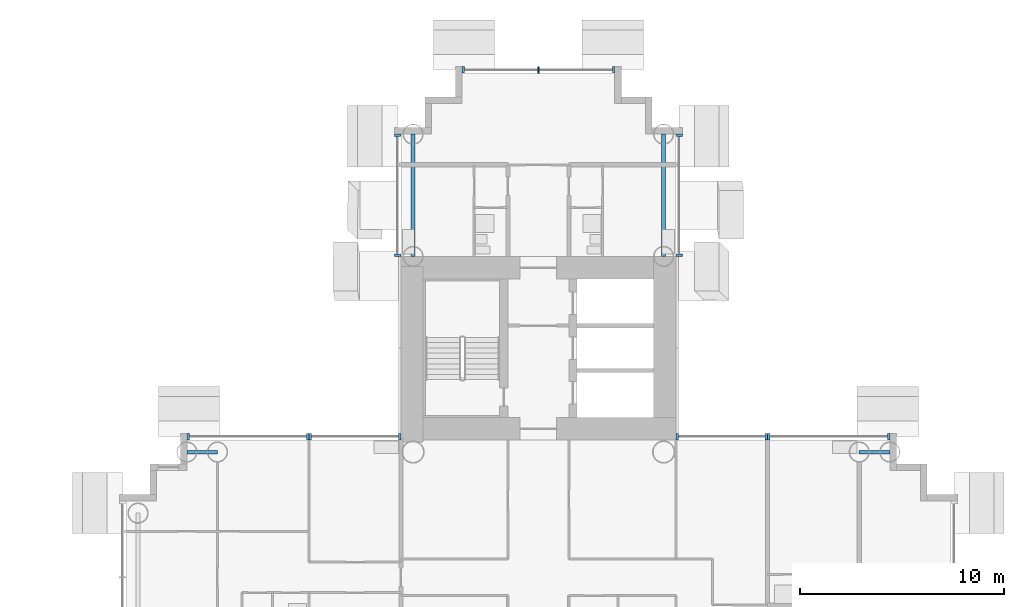
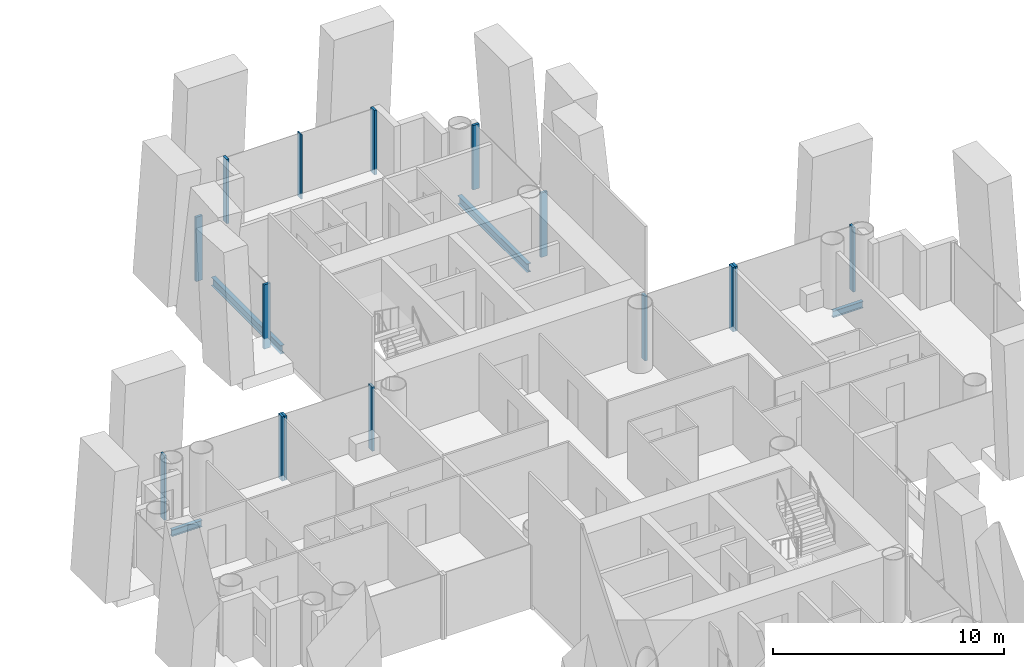
# One storey, part 7 of 25: 15 members, 4 beams, 7 elements without a shape of their own.
"""IFC4 building model written with IfcOpenShell, lengths in metres."""

from ifc_helpers import new_model, si_unit, direction, frame, origin, origin_2d, place, context, subcontext, project, spatial, rectangle, i_section, extrude, material, layer, layer_set, material_profile, profile_set, type_object, element, aggregate, save


model = new_model("IFC4")

# Units and contexts
model_context = context("Model", 3, precision=1e-05, world=origin(), true_north=direction((0.0, 1.0)))
body_context = subcontext(model_context, "Body", "Model", "MODEL_VIEW")
ifc_project = project(units=[si_unit("LENGTHUNIT", "METRE"), si_unit("AREAUNIT", "SQUARE_METRE"), si_unit("VOLUMEUNIT", "CUBIC_METRE"), si_unit("PLANEANGLEUNIT", "RADIAN"), si_unit("MASSUNIT", "GRAM", prefix="KILO")], contexts=[model_context])

# Site, building, storey
site_placement = place(None, origin())
site = spatial("IfcSite", under=ifc_project, at=site_placement, CompositionType="ELEMENT")
building_placement = place(site_placement, origin())
building = spatial("IfcBuilding", under=site, at=building_placement, Name="Ipe Terrace Towers", CompositionType="ELEMENT")
storey_placement = place(building_placement, frame((0.0, 0.0, 31.300048828125)))
storey = spatial("IfcBuildingStorey", under=building, at=storey_placement, Name="L07", CompositionType="ELEMENT", Elevation=31.300048828125)

# Beams
ifc_material_1 = material(Name="Steel S355", Category="steel")
ifc_material_profile_1 = material_profile(ifc_material_1, i_section(OverallWidth=0.175048828125, OverallDepth=0.35009765625, WebThickness=0.007080078125, FlangeThickness=0.010986328125, at=origin_2d()), Name="H-350x175x7x11")
ifc_profile_set_1 = profile_set([ifc_material_profile_1], Name="Steel S355")
beam_type_1 = type_object("IfcBeamType", Name="H04 EDGE BEAM H-350x175x7x11", PredefinedType="BEAM", material=ifc_profile_set_1)
for number, where, z_axis, x_axis, name in (
    (1, (20.25, 6.14990234375, -0.574951171875), (-1.0, 0.0, 0.0), (0.0, -1.0, 0.0), "Edge beam T2-EB-B03-B05"),
    (2, (51.75, 6.14990234375, -0.574951171875), (1.0, 0.0, 0.0), (0.0, 1.0, 0.0), "Edge beam T2-EB-D04-D06"),
):
    element("IfcBeam", number, at=place(storey_placement, frame(where, z_axis=z_axis, x_axis=x_axis)), inside=storey, type_object=beam_type_1, Name=name, PredefinedType="BEAM", context=body_context, shape_type="SweptSolid", body=[
        extrude(i_section(OverallWidth=0.175048828125, OverallDepth=0.35009765625, WebThickness=0.007080078125, FlangeThickness=0.010986328125, at=origin_2d()), origin(), (0.0, 0.0, 1.0), 1.5),
    ])
ifc_material_2 = material(Name="Steel S355", Category="steel")
ifc_material_profile_2 = material_profile(ifc_material_2, i_section(OverallWidth=0.199951171875, OverallDepth=0.449951171875, WebThickness=0.009033203125, FlangeThickness=0.013916015625, at=origin_2d()), Name="H-450x200x9x14")
ifc_profile_set_2 = profile_set([ifc_material_profile_2], Name="Steel S355")
beam_type_2 = type_object("IfcBeamType", Name="H08 EDGE BEAM H-450x200x9x14", PredefinedType="BEAM", material=ifc_profile_set_2)
for number, where, z_axis, x_axis, name in (
    (3, (42.14990234375, 15.75, -0.625), (0.0, 1.0, 0.0), (-1.0, 0.0, 0.0), "Edge beam T2-EB-A01-A03"),
    (4, (29.85009765625, 15.75, -0.625), (0.0, 1.0, 0.0), (-1.0, 0.0, 0.0), "Edge beam T2-EB-A02-A04"),
):
    element("IfcBeam", number, at=place(storey_placement, frame(where, z_axis=z_axis, x_axis=x_axis)), inside=storey, type_object=beam_type_2, Name=name, PredefinedType="BEAM", context=body_context, shape_type="SweptSolid", body=[
        extrude(i_section(OverallWidth=0.199951171875, OverallDepth=0.449951171875, WebThickness=0.009033203125, FlangeThickness=0.013916015625, at=origin_2d()), origin(), (0.0, 0.0, 1.0), 6.0),
    ])

# Curtain wall, members
ifc_material_3 = material(Name="Aluminium alloy 6063-T6", Category="aluminium")
ifc_layer = layer(ifc_material_3, 0.320068359375)
ifc_layer_set = layer_set([ifc_layer], Name="TOWER UNITISED CURTAIN WALL")
curtain_wall_type = type_object("IfcCurtainWallType", Name="TOWER UNITISED CURTAIN WALL", PredefinedType="NOTDEFINED", material=ifc_layer_set)
curtain_wall_1_placement = place(storey_placement, origin())
curtain_wall_1 = element("IfcCurtainWall", 5, at=curtain_wall_1_placement, inside=storey, type_object=curtain_wall_type, Name="T2-CW-L07-17a curtain wall", PredefinedType="NOTDEFINED")
ifc_material_4 = material(Name="Aluminium alloy 6063-T6", Category="aluminium")
ifc_material_profile_3 = material_profile(ifc_material_4, rectangle(XDim=0.320068359375, YDim=0.1201171875, at=origin_2d()), Name="TOWER UNITISED CORNER MULLION 320 x 120")
ifc_profile_set_3 = profile_set([ifc_material_profile_3], Name="Aluminium alloy 6063-T6")
member_type_1 = type_object("IfcMemberType", Name="TOWER UNITISED CORNER MULLION 320 x 120", PredefinedType="MULLION", material=ifc_profile_set_3)
member_1_placement = place(storey_placement, frame((53.18994140625, 6.909912109375, -0.300048828125), z_axis=(0.0, 0.0, 1.0), x_axis=(0.0, 1.0, 0.0)))
member_1 = element("IfcMember", 6, at=member_1_placement, type_object=member_type_1, Name="T2-CW-L07-17a mullion 1", PredefinedType="MULLION", context=body_context, shape_type="SweptSolid", body=[
    extrude(rectangle(XDim=0.320068359375, YDim=0.1201171875, at=origin_2d()), origin(), (0.0, 0.0, 1.0), 3.39990234375),
])
member_2_placement = place(storey_placement, frame((47.31005859375, 6.909912109375, -0.300048828125), z_axis=(0.0, 0.0, 1.0), x_axis=(0.0, 1.0, 0.0)))
member_2 = element("IfcMember", 7, at=member_2_placement, type_object=member_type_1, Name="T2-CW-L07-17a mullion 2", PredefinedType="MULLION", context=body_context, shape_type="SweptSolid", body=[
    extrude(rectangle(XDim=0.320068359375, YDim=0.1201171875, at=origin_2d()), origin(), (0.0, 0.0, 1.0), 3.39990234375),
])
aggregate(curtain_wall_1, [member_1, member_2])

curtain_wall_2_placement = place(storey_placement, origin())
curtain_wall_2 = element("IfcCurtainWall", 8, at=curtain_wall_2_placement, inside=storey, type_object=curtain_wall_type, Name="T2-CW-L07-18a curtain wall", PredefinedType="NOTDEFINED")
member_3_placement = place(storey_placement, frame((47.18994140625, 6.909912109375, -0.300048828125), z_axis=(0.0, 0.0, 1.0), x_axis=(0.0, 1.0, 0.0)))
member_3 = element("IfcMember", 9, at=member_3_placement, type_object=member_type_1, Name="T2-CW-L07-18a mullion 1", PredefinedType="MULLION", context=body_context, shape_type="SweptSolid", body=[
    extrude(rectangle(XDim=0.320068359375, YDim=0.1201171875, at=origin_2d()), origin(), (0.0, 0.0, 1.0), 3.39990234375),
])
member_4_placement = place(storey_placement, frame((42.81005859375, 6.909912109375, -0.300048828125), z_axis=(0.0, 0.0, 1.0), x_axis=(0.0, 1.0, 0.0)))
member_4 = element("IfcMember", 10, at=member_4_placement, type_object=member_type_1, Name="T2-CW-L07-18a mullion 2", PredefinedType="MULLION", context=body_context, shape_type="SweptSolid", body=[
    extrude(rectangle(XDim=0.320068359375, YDim=0.1201171875, at=origin_2d()), origin(), (0.0, 0.0, 1.0), 3.39990234375),
])
aggregate(curtain_wall_2, [member_3, member_4])

curtain_wall_3_placement = place(storey_placement, origin())
curtain_wall_3 = element("IfcCurtainWall", 11, at=curtain_wall_3_placement, inside=storey, type_object=curtain_wall_type, Name="T2-CW-L07-20b curtain wall", PredefinedType="NOTDEFINED")
member_5_placement = place(storey_placement, frame((42.909912109375, 15.81103515625, -0.300048828125), z_axis=(0.0, 0.0, 1.0), x_axis=(1.0, 0.0, 0.0)))
member_5 = element("IfcMember", 12, at=member_5_placement, type_object=member_type_1, Name="T2-CW-L07-20b mullion 1", PredefinedType="MULLION", context=body_context, shape_type="SweptSolid", body=[
    extrude(rectangle(XDim=0.320068359375, YDim=0.1201171875, at=origin_2d()), origin(), (0.0, 0.0, 1.0), 3.39990234375),
])
member_6_placement = place(storey_placement, frame((42.909912109375, 21.68994140625, -0.300048828125), z_axis=(0.0, 0.0, 1.0), x_axis=(1.0, 0.0, 0.0)))
member_6 = element("IfcMember", 13, at=member_6_placement, type_object=member_type_1, Name="T2-CW-L07-20b mullion 2", PredefinedType="MULLION", context=body_context, shape_type="SweptSolid", body=[
    extrude(rectangle(XDim=0.320068359375, YDim=0.1201171875, at=origin_2d()), origin(), (0.0, 0.0, 1.0), 3.39990234375),
])
aggregate(curtain_wall_3, [member_5, member_6])

curtain_wall_4_placement = place(storey_placement, origin())
curtain_wall_4 = element("IfcCurtainWall", 14, at=curtain_wall_4_placement, inside=storey, type_object=curtain_wall_type, Name="T2-CW-L07-25a curtain wall", PredefinedType="NOTDEFINED")
member_7_placement = place(storey_placement, frame((39.68994140625, 24.909912109375, -0.300048828125), z_axis=(0.0, 0.0, 1.0), x_axis=(0.0, 1.0, 0.0)))
member_7 = element("IfcMember", 15, at=member_7_placement, type_object=member_type_1, Name="T2-CW-L07-25a mullion 1", PredefinedType="MULLION", context=body_context, shape_type="SweptSolid", body=[
    extrude(rectangle(XDim=0.320068359375, YDim=0.1201171875, at=origin_2d()), origin(), (0.0, 0.0, 1.0), 3.39990234375),
])
member_8_placement = place(storey_placement, frame((32.31005859375, 24.909912109375, -0.300048828125), z_axis=(0.0, 0.0, 1.0), x_axis=(0.0, 1.0, 0.0)))
member_8 = element("IfcMember", 16, at=member_8_placement, type_object=member_type_1, Name="T2-CW-L07-25a mullion 3", PredefinedType="MULLION", context=body_context, shape_type="SweptSolid", body=[
    extrude(rectangle(XDim=0.320068359375, YDim=0.1201171875, at=origin_2d()), origin(), (0.0, 0.0, 1.0), 3.39990234375),
])

curtain_wall_5_placement = place(storey_placement, origin())
curtain_wall_5 = element("IfcCurtainWall", 17, at=curtain_wall_5_placement, inside=storey, type_object=curtain_wall_type, Name="T2-CW-L07-30a curtain wall", PredefinedType="NOTDEFINED")
member_9_placement = place(storey_placement, frame((29.090087890625, 21.68994140625, -0.300048828125), z_axis=(0.0, 0.0, 1.0), x_axis=(-1.0, 0.0, 0.0)))
member_9 = element("IfcMember", 18, at=member_9_placement, type_object=member_type_1, Name="T2-CW-L07-30a mullion 1", PredefinedType="MULLION", context=body_context, shape_type="SweptSolid", body=[
    extrude(rectangle(XDim=0.320068359375, YDim=0.1201171875, at=origin_2d()), origin(), (0.0, 0.0, 1.0), 3.39990234375),
])
member_10_placement = place(storey_placement, frame((29.090087890625, 15.81103515625, -0.300048828125), z_axis=(0.0, 0.0, 1.0), x_axis=(-1.0, 0.0, 0.0)))
member_10 = element("IfcMember", 19, at=member_10_placement, type_object=member_type_1, Name="T2-CW-L07-30a mullion 2", PredefinedType="MULLION", context=body_context, shape_type="SweptSolid", body=[
    extrude(rectangle(XDim=0.320068359375, YDim=0.1201171875, at=origin_2d()), origin(), (0.0, 0.0, 1.0), 3.39990234375),
])
aggregate(curtain_wall_5, [member_9, member_10])

curtain_wall_6_placement = place(storey_placement, origin())
curtain_wall_6 = element("IfcCurtainWall", 20, at=curtain_wall_6_placement, inside=storey, type_object=curtain_wall_type, Name="T2-CW-L07-32a curtain wall", PredefinedType="NOTDEFINED")
member_11_placement = place(storey_placement, frame((29.18994140625, 6.909912109375, -0.300048828125), z_axis=(0.0, 0.0, 1.0), x_axis=(0.0, 1.0, 0.0)))
member_11 = element("IfcMember", 21, at=member_11_placement, type_object=member_type_1, Name="T2-CW-L07-32a mullion 1", PredefinedType="MULLION", context=body_context, shape_type="SweptSolid", body=[
    extrude(rectangle(XDim=0.320068359375, YDim=0.1201171875, at=origin_2d()), origin(), (0.0, 0.0, 1.0), 3.39990234375),
])
member_12_placement = place(storey_placement, frame((24.81005859375, 6.909912109375, -0.300048828125), z_axis=(0.0, 0.0, 1.0), x_axis=(0.0, 1.0, 0.0)))
member_12 = element("IfcMember", 22, at=member_12_placement, type_object=member_type_1, Name="T2-CW-L07-32a mullion 2", PredefinedType="MULLION", context=body_context, shape_type="SweptSolid", body=[
    extrude(rectangle(XDim=0.320068359375, YDim=0.1201171875, at=origin_2d()), origin(), (0.0, 0.0, 1.0), 3.39990234375),
])
aggregate(curtain_wall_6, [member_11, member_12])

curtain_wall_7_placement = place(storey_placement, origin())
curtain_wall_7 = element("IfcCurtainWall", 23, at=curtain_wall_7_placement, inside=storey, type_object=curtain_wall_type, Name="T2-CW-L07-33a curtain wall", PredefinedType="NOTDEFINED")
member_13_placement = place(storey_placement, frame((24.68994140625, 6.909912109375, -0.300048828125), z_axis=(0.0, 0.0, 1.0), x_axis=(0.0, 1.0, 0.0)))
member_13 = element("IfcMember", 24, at=member_13_placement, type_object=member_type_1, Name="T2-CW-L07-33a mullion 1", PredefinedType="MULLION", context=body_context, shape_type="SweptSolid", body=[
    extrude(rectangle(XDim=0.320068359375, YDim=0.1201171875, at=origin_2d()), origin(), (0.0, 0.0, 1.0), 3.39990234375),
])
member_14_placement = place(storey_placement, frame((18.81005859375, 6.909912109375, -0.300048828125), z_axis=(0.0, 0.0, 1.0), x_axis=(0.0, 1.0, 0.0)))
member_14 = element("IfcMember", 25, at=member_14_placement, type_object=member_type_1, Name="T2-CW-L07-33a mullion 2", PredefinedType="MULLION", context=body_context, shape_type="SweptSolid", body=[
    extrude(rectangle(XDim=0.320068359375, YDim=0.1201171875, at=origin_2d()), origin(), (0.0, 0.0, 1.0), 3.39990234375),
])
aggregate(curtain_wall_7, [member_13, member_14])

# Member
ifc_material_5 = material(Name="Aluminium alloy 6063-T6", Category="aluminium")
ifc_material_profile_4 = material_profile(ifc_material_5, rectangle(XDim=0.320068359375, YDim=0.06494140625, at=origin_2d()), Name="TOWER UNITISED MULLION 320 x 65")
ifc_profile_set_4 = profile_set([ifc_material_profile_4], Name="Aluminium alloy 6063-T6")
member_type_2 = type_object("IfcMemberType", Name="TOWER UNITISED MULLION 320 x 65", PredefinedType="MULLION", material=ifc_profile_set_4)
member_15_placement = place(storey_placement, frame((36.0, 24.909912109375, -0.300048828125), z_axis=(0.0, 0.0, 1.0), x_axis=(0.0, 1.0, 0.0)))
member_15 = element("IfcMember", 26, at=member_15_placement, type_object=member_type_2, Name="T2-CW-L07-25a mullion 2", PredefinedType="MULLION", context=body_context, shape_type="SweptSolid", body=[
    extrude(rectangle(XDim=0.320068359375, YDim=0.06494140625, at=origin_2d()), origin(), (0.0, 0.0, 1.0), 3.39990234375),
])

aggregate(curtain_wall_4, [member_7, member_15, member_8])

save(model, "model.ifc")
